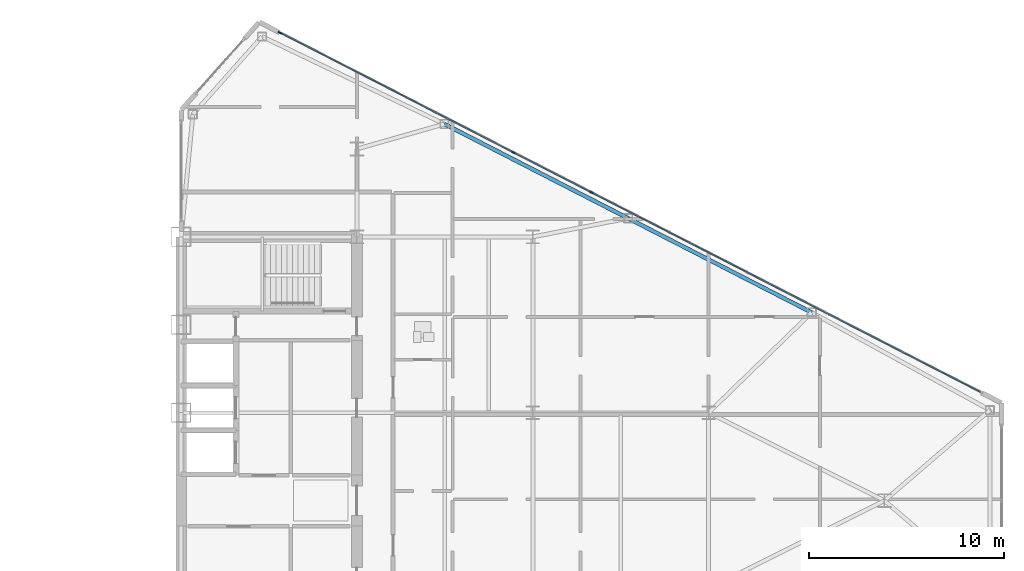
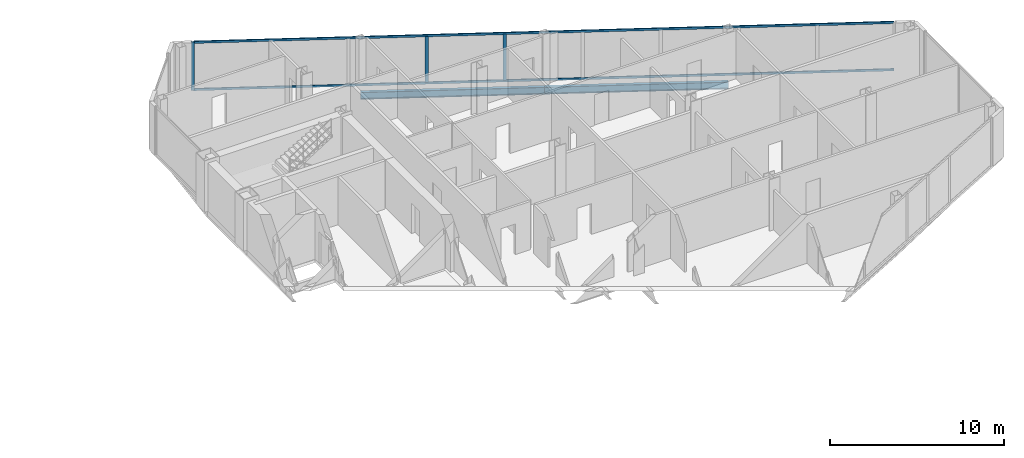
# One storey, part 12 of 23: 5 members, 2 beams, 1 element without a shape of its own.
"""IFC4 building model written with IfcOpenShell, lengths in metres."""

from ifc_helpers import new_model, si_unit, direction, frame, origin, origin_2d, place, context, subcontext, project, spatial, rectangle, i_section, extrude, source, transform, mapped, material, layer, layer_set, material_profile, profile_set, type_object, type_shapes, element, aggregate, save


model = new_model("IFC4")

# Units and contexts
model_context = context("Model", 3, precision=1e-05, world=origin(), true_north=direction((0.0, 1.0)))
body_context = subcontext(model_context, "Body", "Model", "MODEL_VIEW")
ifc_project = project(units=[si_unit("LENGTHUNIT", "METRE"), si_unit("AREAUNIT", "SQUARE_METRE"), si_unit("VOLUMEUNIT", "CUBIC_METRE"), si_unit("PLANEANGLEUNIT", "RADIAN"), si_unit("MASSUNIT", "GRAM", prefix="KILO")], contexts=[model_context])

# Site, building, storey
site_placement = place(None, origin())
site = spatial("IfcSite", under=ifc_project, at=site_placement, CompositionType="ELEMENT")
building_placement = place(site_placement, origin())
building = spatial("IfcBuilding", under=site, at=building_placement, Name="Seokmaru Belvedere", CompositionType="ELEMENT")
storey_placement = place(building_placement, frame((0.0, 0.0, 154.800048828125)))
storey = spatial("IfcBuildingStorey", under=building, at=storey_placement, Name="L41", CompositionType="ELEMENT", Elevation=154.800048828125)

# Beams
ifc_material_1 = material(Name="Steel SM355 (355 MPa)", Category="steel")
ifc_material_profile_1 = material_profile(ifc_material_1, i_section(OverallWidth=0.199951171875, OverallDepth=0.5, WebThickness=0.010009765625, FlangeThickness=0.01611328125, at=origin_2d()), Name="H-500x200x10x16")
ifc_profile_set_1 = profile_set([ifc_material_profile_1], Name="Steel SM355 (355 MPa)")
beam_type = type_object("IfcBeamType", Name="Perimeter Spandrel Beam H-500", PredefinedType="SPANDREL", material=ifc_profile_set_1)
shared_shape_1 = source(origin(), body_context, "Body", "SweptSolid", [
    extrude(i_section(OverallWidth=0.199951171875, OverallDepth=0.5, WebThickness=0.010009765625, FlangeThickness=0.01611328125, at=origin_2d()), origin(), (0.0, 0.0, 1.0), 10.56689453125),
])
type_shapes(beam_type, [shared_shape_1])
for number, where, z_axis, x_axis, name in (
    (1, (40.975830078125, 19.277587890625, -0.469970703125), (0.889701972758, -0.45654178305, 0.0), (0.45654178305, 0.889701972758, 0.0), "L41 E Faceted Flank Spandrel N-2"),
    (2, (50.377197265625, 14.453369140625, -0.469970703125), (0.889692588006, -0.456560071455, 0.0), (0.456560071455, 0.889692588006, 0.0), "L41 E Faceted Flank Spandrel N-3"),
):
    element("IfcBeam", number, at=place(storey_placement, frame(where, z_axis=z_axis, x_axis=x_axis)), inside=storey, type_object=beam_type, Name=name, PredefinedType="SPANDREL", context=body_context, shape_type="MappedRepresentation", body=[
        mapped(shared_shape_1, transform((0.0, 0.0, 0.0), scale=1.0)),
    ])

# Curtain wall, members
ifc_material_2 = material(Name="Bronze Triple Insulating Glass", Category="glass")
ifc_layer = layer(ifc_material_2, 0.195068359375)
ifc_layer_set = layer_set([ifc_layer], Name="Bronze Triple Insulating Glass")
curtain_wall_type = type_object("IfcCurtainWallType", Name="Sky-Lobby and Mid-Rise Curtain Wall System CW-4", PredefinedType="NOTDEFINED", material=ifc_layer_set)
curtain_wall_placement = place(storey_placement, origin())
curtain_wall = element("IfcCurtainWall", 3, at=curtain_wall_placement, inside=storey, type_object=curtain_wall_type, Name="L41 Curtain Wall EF3", PredefinedType="NOTDEFINED")
ifc_material_3 = material(Name="Anodised Bronze Aluminium", Category="aluminium")
ifc_material_profile_2 = material_profile(ifc_material_3, rectangle(XDim=0.070068359375, YDim=0.195068359375, at=origin_2d()), Name="CW-M-70x195")
ifc_profile_set_2 = profile_set([ifc_material_profile_2], Name="Anodised Bronze Aluminium")
member_type_1 = type_object("IfcMemberType", Name="Bronze Unitised Mullion 70x195", PredefinedType="MULLION", material=ifc_profile_set_2)
shared_shape_2 = source(origin(), body_context, "Body", "SweptSolid", [
    extrude(rectangle(XDim=0.070068359375, YDim=0.195068359375, at=origin_2d()), origin(), (0.0, 0.0, 1.0), 3.3798828125),
])
member_1_placement = place(storey_placement, frame((32.55419921875, 23.958984375, 0.0), z_axis=(0.0, 0.0, 1.0), x_axis=(-0.456554528263, -0.889695432562, 0.0)))
member_1 = element("IfcMember", 4, at=member_1_placement, type_object=member_type_1, Name="CW:L41:EF3 Mullion 10", PredefinedType="MULLION", context=body_context, shape_type="MappedRepresentation", body=[
    mapped(shared_shape_2, transform((0.0, 0.0, 0.0), scale=1.0)),
])
shared_shape_3 = source(origin(), body_context, "Body", "SweptSolid", [
    extrude(rectangle(XDim=0.070068359375, YDim=0.195068359375, at=origin_2d()), origin(), (0.0, 0.0, 1.0), 3.25),
])
type_shapes(member_type_1, [shared_shape_2, shared_shape_3])
member_2_placement = place(storey_placement, frame((48.502685546875, 15.77490234375, 0.06494140625), z_axis=(0.0, 0.0, 1.0), x_axis=(-0.456554528263, -0.889695432562, 0.0)))
member_2 = element("IfcMember", 5, at=member_2_placement, type_object=member_type_1, Name="CW:L41:EF3 Mullion 6", PredefinedType="MULLION", context=body_context, shape_type="MappedRepresentation", body=[
    mapped(shared_shape_3, transform((0.0, 0.0, 0.0), scale=1.0)),
])
member_3_placement = place(storey_placement, frame((44.5078125, 17.824951171875, 0.06494140625), z_axis=(0.0, 0.0, 1.0), x_axis=(-0.456554528263, -0.889695432562, 0.0)))
member_3 = element("IfcMember", 6, at=member_3_placement, type_object=member_type_1, Name="CW:L41:EF3 Mullion 7", PredefinedType="MULLION", context=body_context, shape_type="MappedRepresentation", body=[
    mapped(shared_shape_3, transform((0.0, 0.0, 0.0), scale=1.0)),
])
ifc_material_profile_3 = material_profile(ifc_material_3, rectangle(XDim=0.06494140625, YDim=0.14990234375, at=origin_2d()), Name="CW-T-65x150")
ifc_profile_set_3 = profile_set([ifc_material_profile_3], Name="Anodised Bronze Aluminium")
member_type_2 = type_object("IfcMemberType", Name="Bronze Unitised Transom 65x150", PredefinedType="USERDEFINED", material=ifc_profile_set_3)
shared_shape_4 = source(origin(), body_context, "Body", "SweptSolid", [
    extrude(rectangle(XDim=0.06494140625, YDim=0.14990234375, at=origin_2d()), origin(), (0.0, 0.0, 1.0), 40.271240234375),
])
type_shapes(member_type_2, [shared_shape_4])
member_4_placement = place(storey_placement, frame((68.41455078125, 5.556884765625, 0.032470703125), z_axis=(-0.889693089107, 0.456559094965, 0.0), x_axis=(-0.456559094965, -0.889693089107, 0.0)))
member_4 = element("IfcMember", 7, at=member_4_placement, type_object=member_type_2, Name="CW:L41:EF3 Continuous Transom 1", ObjectType="TRANSOM", PredefinedType="USERDEFINED", context=body_context, shape_type="MappedRepresentation", body=[
    mapped(shared_shape_4, transform((0.0, 0.0, 0.0), scale=1.0)),
])
member_5_placement = place(storey_placement, frame((68.41455078125, 5.556884765625, 3.347412109375), z_axis=(-0.889693089107, 0.456559094965, 0.0), x_axis=(-0.456559094965, -0.889693089107, 0.0)))
member_5 = element("IfcMember", 8, at=member_5_placement, type_object=member_type_2, Name="CW:L41:EF3 Continuous Transom 2", ObjectType="TRANSOM", PredefinedType="USERDEFINED", context=body_context, shape_type="MappedRepresentation", body=[
    mapped(shared_shape_4, transform((0.0, 0.0, 0.0), scale=1.0)),
])
aggregate(curtain_wall, [member_2, member_3, member_1, member_4, member_5])

save(model, "model.ifc")
